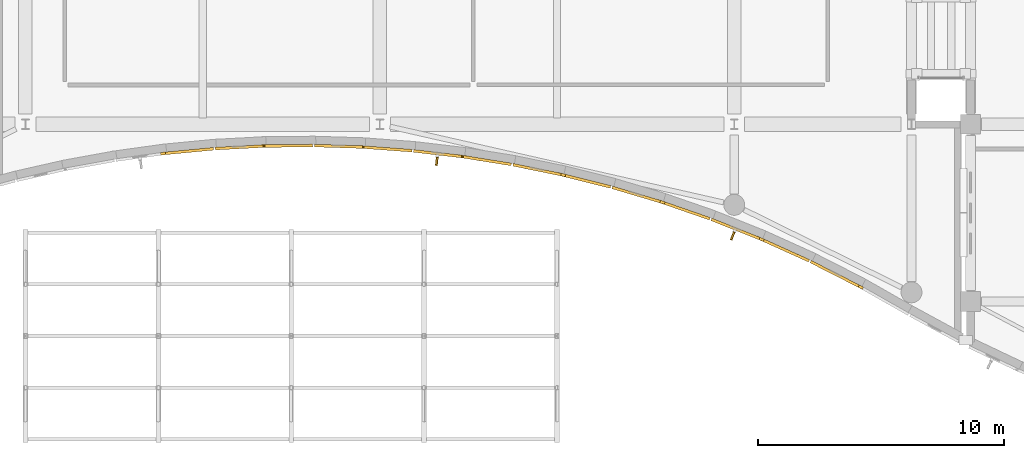
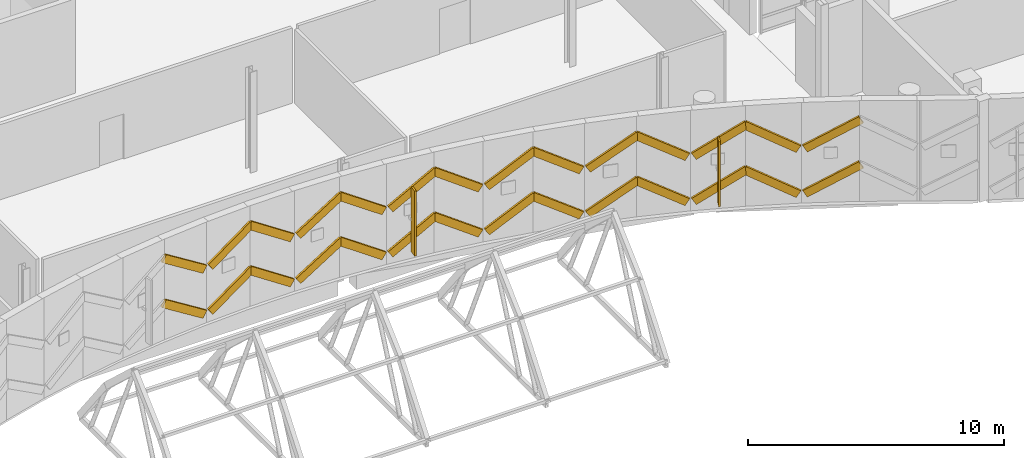
# One storey, part 199 of 220: 28 coverings, 2 shading devices.
"""IFC4 building model written with IfcOpenShell, lengths in metres."""

from ifc_helpers import new_model, si_unit, direction, frame, origin, origin_2d, place, context, subcontext, project, spatial, polyline, rectangle, outline, extrude, material, layer, layer_set, type_object, element, save


model = new_model("IFC4")

# Units and contexts
model_context = context("Model", 3, precision=1e-05, world=origin(), true_north=direction((0.0, 1.0)))
body_context = subcontext(model_context, "Body", "Model", "MODEL_VIEW")
ifc_project = project(units=[si_unit("LENGTHUNIT", "METRE"), si_unit("AREAUNIT", "SQUARE_METRE"), si_unit("VOLUMEUNIT", "CUBIC_METRE"), si_unit("PLANEANGLEUNIT", "RADIAN"), si_unit("MASSUNIT", "GRAM", prefix="KILO")], contexts=[model_context])

# Site, building, storey
site_placement = place(None, origin())
site = spatial("IfcSite", under=ifc_project, at=site_placement, CompositionType="ELEMENT")
building_placement = place(site_placement, origin())
building = spatial("IfcBuilding", under=site, at=building_placement, Name="Cendralis Lancet Convention Centre", CompositionType="ELEMENT")
storey_placement = place(building_placement, frame((0.0, 0.0, 5.39990234375)))
storey = spatial("IfcBuildingStorey", under=building, at=storey_placement, Name="L01", CompositionType="ELEMENT", Elevation=5.39990234375)

# Coverings
ifc_material_1 = material(Name="Warm buff sandstone chevron cassette", Category="masonry")
ifc_layer_1 = layer(ifc_material_1, 0.06005859375, Name="Warm buff sandstone chevron cassette")
ifc_layer_set_1 = layer_set([ifc_layer_1], Name="Warm buff sandstone chevron cassette")
covering_type_1 = type_object("IfcCoveringType", Name="ARC-CV-CLAD1", PredefinedType="CLADDING", material=ifc_layer_set_1)
covering_1_placement = place(storey_placement, frame((99.301025390625, 13.166015625, 1.9501953125), z_axis=(0.551183897876, 0.052844833018, 0.832708673154), x_axis=(0.828960105876, 0.078923824437, -0.553711272056)))
element("IfcCovering", 1, at=covering_1_placement, inside=storey, type_object=covering_type_1, Name="L01 Diagonal Stone Chevron Relief CL-ST1 #0295", PredefinedType="CLADDING", context=body_context, shape_type="SweptSolid", body=[
    extrude(outline(polyline([(0.0, 0.0), (2.3478724781473024, 8.40256683676266e-18), (2.3478215779079266, 0.11012067175197505), (-7.016875120143158e-05, 0.10987763488500937), (0.0, 0.0)])), origin(), (0.0, 0.0, -1.0), 0.360107421875),
])
covering_2_placement = place(storey_placement, frame((101.31591796875, 13.3564453125, 0.650146484375), z_axis=(-0.554363837926, -0.029566071356, 0.831749110384), x_axis=(0.830590287499, 0.043890863692, 0.555151660717)))
element("IfcCovering", 2, at=covering_2_placement, inside=storey, type_object=covering_type_1, Name="L01 Diagonal Stone Chevron Relief CL-ST1 #0301", PredefinedType="CLADDING", context=body_context, shape_type="SweptSolid", body=[
    extrude(outline(polyline([(0.0, 0.0), (2.3417903973232903, 1.5720931501039814e-18), (2.341745651659616, 0.11001941119744647), (-4.474566367464357e-05, 0.11001941119744647), (0.0, 0.0)])), origin(), (0.0, 0.0, -1.0), 0.360107421875),
])
covering_3_placement = place(storey_placement, frame((103.32958984375, 13.46142578125, 1.9501953125), z_axis=(0.555614467531, 0.005556144675, 0.831421489214), x_axis=(0.831376407589, 0.008660177623, -0.555642214224)))
element("IfcCovering", 3, at=covering_3_placement, inside=storey, type_object=covering_type_1, Name="L01 Diagonal Stone Chevron Relief CL-ST1 #0307", PredefinedType="CLADDING", context=body_context, shape_type="SweptSolid", body=[
    extrude(outline(polyline([(0.0, 0.0), (2.3398244143446307, -3.3068166260807885e-18), (2.339760986095707, 0.10987002348181216), (0.00013954450683504357, 0.10986751188847568), (0.0, 0.0)])), origin(), (0.0, 0.0, -1.0), 0.360107421875),
])
covering_4_placement = place(storey_placement, frame((105.343505859375, 13.48095703125, 0.650146484375), z_axis=(-0.55523109858, 0.017890779843, 0.831503666358), x_axis=(0.831088069029, -0.026287701467, 0.55551919703)))
element("IfcCovering", 4, at=covering_4_placement, inside=storey, type_object=covering_type_1, Name="L01 Diagonal Stone Chevron Relief CL-ST1 #0313", PredefinedType="CLADDING", context=body_context, shape_type="SweptSolid", body=[
    extrude(outline(polyline([(0.0, 0.0), (2.340342497780828, -2.6020852139652106e-18), (2.3402950776895706, 0.10991640566800805), (0.00015548226934535957, 0.1099241686054599), (0.0, 0.0)])), origin(), (0.0, 0.0, -1.0), 0.360107421875),
])
covering_5_placement = place(storey_placement, frame((107.357421875, 13.415771484375, 1.9501953125), z_axis=(0.553075734647, -0.041265116059, 0.832108419583), x_axis=(0.829836069915, -0.061453916362, -0.554612940015)))
element("IfcCovering", 5, at=covering_5_placement, inside=storey, type_object=covering_type_1, Name="L01 Diagonal Stone Chevron Relief CL-ST1 #0319", PredefinedType="CLADDING", context=body_context, shape_type="SweptSolid", body=[
    extrude(outline(polyline([(0.0, 0.0), (2.343963790342994, -1.4148838350935833e-17), (2.344115552533026, 0.10993284937089597), (-5.083450672504434e-05, 0.10991477747427505), (0.0, 0.0)])), origin(), (0.0, 0.0, -1.0), 0.360107421875),
])
covering_6_placement = place(storey_placement, frame((109.370849609375, 13.26513671875, 0.650146484375), z_axis=(-0.548958948721, 0.064943804201, 0.833322491545), x_axis=(0.827675011326, -0.096854482073, 0.552786834982)))
element("IfcCovering", 6, at=covering_6_placement, inside=storey, type_object=covering_type_1, Name="L01 Diagonal Stone Chevron Relief CL-ST1 #0325", PredefinedType="CLADDING", context=body_context, shape_type="SweptSolid", body=[
    extrude(outline(polyline([(0.0, 0.0), (2.351808592127162, -9.107298248878237e-18), (2.351924795162226, 0.1101376709805901), (0.00011620303506416733, 0.1101376709805901), (0.0, 0.0)])), origin(), (0.0, 0.0, -1.0), 0.360107421875),
])
covering_7_placement = place(storey_placement, frame((111.385498046875, 13.028076171875, 1.9501953125), z_axis=(0.543718944741, -0.086848245392, 0.834761697373), x_axis=(0.824218881, -0.132251403169, -0.550611298979)))
element("IfcCovering", 7, at=covering_7_placement, inside=storey, type_object=covering_type_1, Name="L01 Diagonal Stone Chevron Relief CL-ST1 #0331", PredefinedType="CLADDING", context=body_context, shape_type="SweptSolid", body=[
    extrude(outline(polyline([(0.0, 0.0), (2.3610848174231873, 3.198396408832238e-17), (2.361035969167337, 0.10977561554465676), (-8.113619607742067e-05, 0.11001668101012409), (0.0, 0.0)])), origin(), (0.0, 0.0, -1.0), 0.360107421875),
])
covering_8_placement = place(storey_placement, frame((113.39892578125, 12.703369140625, 0.650146484375), z_axis=(-0.536304363966, 0.110057925032, 0.83681830903), x_axis=(0.819783716895, -0.167986776787, 0.5474806849)))
element("IfcCovering", 8, at=covering_8_placement, inside=storey, type_object=covering_type_1, Name="L01 Diagonal Stone Chevron Relief CL-ST1 #0337", PredefinedType="CLADDING", context=body_context, shape_type="SweptSolid", body=[
    extrude(outline(polyline([(0.0, 0.0), (2.374702245821043, 6.830473686658678e-18), (2.3746286046973313, 0.10988520753186476), (0.0001265013852954841, 0.10993423804911716), (0.0, 0.0)])), origin(), (0.0, 0.0, -1.0), 0.360107421875),
])
covering_9_placement = place(storey_placement, frame((115.41259765625, 12.289306640625, 1.9501953125), z_axis=(0.527422899245, -0.131553995464, 0.839356081547), x_axis=(0.81430104305, -0.203549740484, -0.543581929829)))
element("IfcCovering", 9, at=covering_9_placement, inside=storey, type_object=covering_type_1, Name="L01 Diagonal Stone Chevron Relief CL-ST1 #0343", PredefinedType="CLADDING", context=body_context, shape_type="SweptSolid", body=[
    extrude(outline(polyline([(0.0, 0.0), (2.3916336375181073, 1.5720931501039814e-18), (2.391586659271256, 0.10995817380137013), (-4.6978246851469424e-05, 0.10995817380137009), (0.0, 0.0)])), origin(), (0.0, 0.0, -1.0), 0.360107421875),
])
covering_10_placement = place(storey_placement, frame((117.42578125, 11.78466796875, 0.650146484375), z_axis=(-0.516176060511, 0.153716393454, 0.842575542571), x_axis=(0.807545890848, -0.240422919393, 0.538578178174)))
element("IfcCovering", 10, at=covering_10_placement, inside=storey, type_object=covering_type_1, Name="L01 Diagonal Stone Chevron Relief CL-ST1 #0349", PredefinedType="CLADDING", context=body_context, shape_type="SweptSolid", body=[
    extrude(outline(polyline([(0.0, 0.0), (2.413784294605301, 1.5178830414797062e-16), (2.413860153673085, 0.11007057012663117), (-6.259868891902651e-05, 0.10976691232723765), (0.0, 0.0)])), origin(), (0.0, 0.0, -1.0), 0.360107421875),
])
covering_11_placement = place(storey_placement, frame((119.440185546875, 11.18359375, 1.9501953125), z_axis=(0.503700474187, -0.174813693983, 0.846005912923), x_axis=(0.799454346081, -0.27676501759, -0.533173399159)))
element("IfcCovering", 11, at=covering_11_placement, inside=storey, type_object=covering_type_1, Name="L01 Diagonal Stone Chevron Relief CL-ST1 #0355", PredefinedType="CLADDING", context=body_context, shape_type="SweptSolid", body=[
    extrude(outline(polyline([(0.0, 0.0), (2.4382251851197183, -4.2392304944183223e-17), (2.4383946457506482, 0.10987099983241229), (-2.5718652781586693e-05, 0.10979108019061262), (0.0, 0.0)])), origin(), (0.0, 0.0, -1.0), 0.360107421875),
])
covering_12_placement = place(storey_placement, frame((121.453369140625, 10.485107421875, 0.650146484375), z_axis=(-0.489239124765, 0.194643522756, 0.850152326262), x_axis=(0.78997924583, -0.314152468909, 0.526536814892)))
element("IfcCovering", 12, at=covering_12_placement, inside=storey, type_object=covering_type_1, Name="L01 Diagonal Stone Chevron Relief CL-ST1 #0361", PredefinedType="CLADDING", context=body_context, shape_type="SweptSolid", body=[
    extrude(outline(polyline([(0.0, 0.0), (2.468997833974073, 1.5582695724047912e-16), (2.4690702581880943, 0.11012065401670039), (-4.3744432687425894e-05, 0.10980357161026215), (0.0, 0.0)])), origin(), (0.0, 0.0, -1.0), 0.360107421875),
])
covering_13_placement = place(storey_placement, frame((123.46630859375, 9.68310546875, 1.9501953125), z_axis=(0.472534157954, -0.214369154584, 0.854843456505), x_axis=(0.779156200712, -0.351672677385, -0.518885288743)))
element("IfcCovering", 13, at=covering_13_placement, inside=storey, type_object=covering_type_1, Name="L01 Diagonal Stone Chevron Relief CL-ST1 #0367", PredefinedType="CLADDING", context=body_context, shape_type="SweptSolid", body=[
    extrude(outline(polyline([(0.0, 0.0), (2.505464803741935, 6.743737512859838e-17), (2.505644797786033, 0.10991628941852379), (0.00017999404409795722, 0.1099162894185237), (0.0, 0.0)])), origin(), (0.0, 0.0, -1.0), 0.360107421875),
])
covering_14_placement = place(storey_placement, frame((125.4794921875, 8.772705078125, 0.650146484375), z_axis=(-0.454427385646, 0.231180016638, 0.86026248964), x_axis=(0.766548339773, -0.390455174818, 0.509851350149)))
element("IfcCovering", 14, at=covering_14_placement, inside=storey, type_object=covering_type_1, Name="L01 Diagonal Stone Chevron Relief CL-ST1 #0373", PredefinedType="CLADDING", context=body_context, shape_type="SweptSolid", body=[
    extrude(outline(polyline([(0.0, 0.0), (2.5498585572938635, -5.128276275856436e-17), (2.54981054367365, 0.10984075325757975), (-4.8013620213734065e-05, 0.10984075325757978), (0.0, 0.0)])), origin(), (0.0, 0.0, -1.0), 0.360107421875),
])
ifc_material_2 = material(Name="Dark Andean slate chevron cassette", Category="masonry")
ifc_layer_2 = layer(ifc_material_2, 0.06005859375, Name="Dark Andean slate chevron cassette")
ifc_layer_set_2 = layer_set([ifc_layer_2], Name="Dark Andean slate chevron cassette")
covering_type_2 = type_object("IfcCoveringType", Name="ARC-CV-CLAD2", PredefinedType="CLADDING", material=ifc_layer_set_2)
covering_15_placement = place(storey_placement, frame((99.301025390625, 13.166015625, 4.10009765625), z_axis=(0.551183897876, 0.052844833018, 0.832708673154), x_axis=(0.828960105876, 0.078923824437, -0.553711272056)))
element("IfcCovering", 15, at=covering_15_placement, inside=storey, type_object=covering_type_2, Name="L01 Diagonal Stone Chevron Relief CL-ST2 #0296", PredefinedType="CLADDING", context=body_context, shape_type="SweptSolid", body=[
    extrude(outline(polyline([(0.0, 0.0), (2.3478724781473024, 8.40256683676266e-18), (2.3478215779079266, 0.11012067175197505), (-7.016875120143158e-05, 0.10987763488500937), (0.0, 0.0)])), origin(), (0.0, 0.0, -1.0), 0.360107421875),
])
covering_16_placement = place(storey_placement, frame((101.31591796875, 13.3564453125, 2.800048828125), z_axis=(-0.554363837926, -0.029566071356, 0.831749110384), x_axis=(0.830590287499, 0.043890863692, 0.555151660717)))
element("IfcCovering", 16, at=covering_16_placement, inside=storey, type_object=covering_type_2, Name="L01 Diagonal Stone Chevron Relief CL-ST2 #0302", PredefinedType="CLADDING", context=body_context, shape_type="SweptSolid", body=[
    extrude(outline(polyline([(0.0, 0.0), (2.3417903973232903, 1.5720931501039814e-18), (2.341745651659616, 0.11001941119744647), (-4.474566367464357e-05, 0.11001941119744647), (0.0, 0.0)])), origin(), (0.0, 0.0, -1.0), 0.360107421875),
])
covering_17_placement = place(storey_placement, frame((103.32958984375, 13.46142578125, 4.10009765625), z_axis=(0.555614467531, 0.005556144675, 0.831421489214), x_axis=(0.831376407589, 0.008660177623, -0.555642214224)))
element("IfcCovering", 17, at=covering_17_placement, inside=storey, type_object=covering_type_2, Name="L01 Diagonal Stone Chevron Relief CL-ST2 #0308", PredefinedType="CLADDING", context=body_context, shape_type="SweptSolid", body=[
    extrude(outline(polyline([(0.0, 0.0), (2.3398244143446307, -3.3068166260807885e-18), (2.339760986095707, 0.10987002348181216), (0.00013954450683504357, 0.10986751188847568), (0.0, 0.0)])), origin(), (0.0, 0.0, -1.0), 0.360107421875),
])
covering_18_placement = place(storey_placement, frame((105.343505859375, 13.48095703125, 2.800048828125), z_axis=(-0.55523109858, 0.017890779843, 0.831503666358), x_axis=(0.831088069029, -0.026287701467, 0.55551919703)))
element("IfcCovering", 18, at=covering_18_placement, inside=storey, type_object=covering_type_2, Name="L01 Diagonal Stone Chevron Relief CL-ST2 #0314", PredefinedType="CLADDING", context=body_context, shape_type="SweptSolid", body=[
    extrude(outline(polyline([(0.0, 0.0), (2.340342497780828, -2.6020852139652106e-18), (2.3402950776895706, 0.10991640566800805), (0.00015548226934535957, 0.1099241686054599), (0.0, 0.0)])), origin(), (0.0, 0.0, -1.0), 0.360107421875),
])
covering_19_placement = place(storey_placement, frame((107.357421875, 13.415771484375, 4.10009765625), z_axis=(0.553075734647, -0.041265116059, 0.832108419583), x_axis=(0.829836069915, -0.061453916362, -0.554612940015)))
element("IfcCovering", 19, at=covering_19_placement, inside=storey, type_object=covering_type_2, Name="L01 Diagonal Stone Chevron Relief CL-ST2 #0320", PredefinedType="CLADDING", context=body_context, shape_type="SweptSolid", body=[
    extrude(outline(polyline([(0.0, 0.0), (2.343963790342994, -1.4148838350935833e-17), (2.344115552533026, 0.10993284937089597), (-5.083450672504434e-05, 0.10991477747427505), (0.0, 0.0)])), origin(), (0.0, 0.0, -1.0), 0.360107421875),
])
covering_20_placement = place(storey_placement, frame((109.370849609375, 13.26513671875, 2.800048828125), z_axis=(-0.548958948721, 0.064943804201, 0.833322491545), x_axis=(0.827675011326, -0.096854482073, 0.552786834982)))
element("IfcCovering", 20, at=covering_20_placement, inside=storey, type_object=covering_type_2, Name="L01 Diagonal Stone Chevron Relief CL-ST2 #0326", PredefinedType="CLADDING", context=body_context, shape_type="SweptSolid", body=[
    extrude(outline(polyline([(0.0, 0.0), (2.351808592127162, -9.107298248878237e-18), (2.351924795162226, 0.1101376709805901), (0.00011620303506416733, 0.1101376709805901), (0.0, 0.0)])), origin(), (0.0, 0.0, -1.0), 0.360107421875),
])
covering_21_placement = place(storey_placement, frame((111.385498046875, 13.028076171875, 4.10009765625), z_axis=(0.543718944741, -0.086848245392, 0.834761697373), x_axis=(0.824218881, -0.132251403169, -0.550611298979)))
element("IfcCovering", 21, at=covering_21_placement, inside=storey, type_object=covering_type_2, Name="L01 Diagonal Stone Chevron Relief CL-ST2 #0332", PredefinedType="CLADDING", context=body_context, shape_type="SweptSolid", body=[
    extrude(outline(polyline([(0.0, 0.0), (2.3610848174231873, 3.198396408832238e-17), (2.361035969167337, 0.10977561554465676), (-8.113619607742067e-05, 0.11001668101012409), (0.0, 0.0)])), origin(), (0.0, 0.0, -1.0), 0.360107421875),
])
covering_22_placement = place(storey_placement, frame((113.39892578125, 12.703369140625, 2.800048828125), z_axis=(-0.536304363966, 0.110057925032, 0.83681830903), x_axis=(0.819783716895, -0.167986776787, 0.5474806849)))
element("IfcCovering", 22, at=covering_22_placement, inside=storey, type_object=covering_type_2, Name="L01 Diagonal Stone Chevron Relief CL-ST2 #0338", PredefinedType="CLADDING", context=body_context, shape_type="SweptSolid", body=[
    extrude(outline(polyline([(0.0, 0.0), (2.374702245821043, 6.830473686658678e-18), (2.3746286046973313, 0.10988520753186476), (0.0001265013852954841, 0.10993423804911716), (0.0, 0.0)])), origin(), (0.0, 0.0, -1.0), 0.360107421875),
])
covering_23_placement = place(storey_placement, frame((115.41259765625, 12.289306640625, 4.10009765625), z_axis=(0.527422899245, -0.131553995464, 0.839356081547), x_axis=(0.81430104305, -0.203549740484, -0.543581929829)))
element("IfcCovering", 23, at=covering_23_placement, inside=storey, type_object=covering_type_2, Name="L01 Diagonal Stone Chevron Relief CL-ST2 #0344", PredefinedType="CLADDING", context=body_context, shape_type="SweptSolid", body=[
    extrude(outline(polyline([(0.0, 0.0), (2.3916336375181073, 1.5720931501039814e-18), (2.391586659271256, 0.10995817380137013), (-4.6978246851469424e-05, 0.10995817380137009), (0.0, 0.0)])), origin(), (0.0, 0.0, -1.0), 0.360107421875),
])
covering_24_placement = place(storey_placement, frame((117.42578125, 11.78466796875, 2.800048828125), z_axis=(-0.516176060511, 0.153716393454, 0.842575542571), x_axis=(0.807545890848, -0.240422919393, 0.538578178174)))
element("IfcCovering", 24, at=covering_24_placement, inside=storey, type_object=covering_type_2, Name="L01 Diagonal Stone Chevron Relief CL-ST2 #0350", PredefinedType="CLADDING", context=body_context, shape_type="SweptSolid", body=[
    extrude(outline(polyline([(0.0, 0.0), (2.413784294605301, 1.5178830414797062e-16), (2.413860153673085, 0.11007057012663117), (-6.259868891902651e-05, 0.10976691232723765), (0.0, 0.0)])), origin(), (0.0, 0.0, -1.0), 0.360107421875),
])
covering_25_placement = place(storey_placement, frame((119.440185546875, 11.18359375, 4.10009765625), z_axis=(0.503700474187, -0.174813693983, 0.846005912923), x_axis=(0.799454346081, -0.27676501759, -0.533173399159)))
element("IfcCovering", 25, at=covering_25_placement, inside=storey, type_object=covering_type_2, Name="L01 Diagonal Stone Chevron Relief CL-ST2 #0356", PredefinedType="CLADDING", context=body_context, shape_type="SweptSolid", body=[
    extrude(outline(polyline([(0.0, 0.0), (2.4382251851197183, -4.2392304944183223e-17), (2.4383946457506482, 0.10987099983241229), (-2.5718652781586693e-05, 0.10979108019061262), (0.0, 0.0)])), origin(), (0.0, 0.0, -1.0), 0.360107421875),
])
covering_26_placement = place(storey_placement, frame((121.453369140625, 10.485107421875, 2.800048828125), z_axis=(-0.489239124765, 0.194643522756, 0.850152326262), x_axis=(0.78997924583, -0.314152468909, 0.526536814892)))
element("IfcCovering", 26, at=covering_26_placement, inside=storey, type_object=covering_type_2, Name="L01 Diagonal Stone Chevron Relief CL-ST2 #0362", PredefinedType="CLADDING", context=body_context, shape_type="SweptSolid", body=[
    extrude(outline(polyline([(0.0, 0.0), (2.468997833974073, 1.5582695724047912e-16), (2.4690702581880943, 0.11012065401670039), (-4.3744432687425894e-05, 0.10980357161026215), (0.0, 0.0)])), origin(), (0.0, 0.0, -1.0), 0.360107421875),
])
covering_27_placement = place(storey_placement, frame((123.46630859375, 9.68310546875, 4.10009765625), z_axis=(0.472534157954, -0.214369154584, 0.854843456505), x_axis=(0.779156200712, -0.351672677385, -0.518885288743)))
element("IfcCovering", 27, at=covering_27_placement, inside=storey, type_object=covering_type_2, Name="L01 Diagonal Stone Chevron Relief CL-ST2 #0368", PredefinedType="CLADDING", context=body_context, shape_type="SweptSolid", body=[
    extrude(outline(polyline([(0.0, 0.0), (2.505464803741935, 6.743737512859838e-17), (2.505644797786033, 0.10991628941852379), (0.00017999404409795722, 0.1099162894185237), (0.0, 0.0)])), origin(), (0.0, 0.0, -1.0), 0.360107421875),
])
covering_28_placement = place(storey_placement, frame((125.4794921875, 8.772705078125, 2.800048828125), z_axis=(-0.454427385646, 0.231180016638, 0.86026248964), x_axis=(0.766548339773, -0.390455174818, 0.509851350149)))
element("IfcCovering", 28, at=covering_28_placement, inside=storey, type_object=covering_type_2, Name="L01 Diagonal Stone Chevron Relief CL-ST2 #0374", PredefinedType="CLADDING", context=body_context, shape_type="SweptSolid", body=[
    extrude(outline(polyline([(0.0, 0.0), (2.5498585572938635, -5.128276275856436e-17), (2.54981054367365, 0.10984075325757975), (-4.8013620213734065e-05, 0.10984075325757978), (0.0, 0.0)])), origin(), (0.0, 0.0, -1.0), 0.360107421875),
])

# Shading devices
ifc_material_3 = material(Name="Anodised bronze architectural aluminium", Category="aluminium")
shading_device_type = type_object("IfcShadingDeviceType", Name="ARC-SH-FIN1", PredefinedType="USERDEFINED", material=ifc_material_3)
for number, where, z_axis, x_axis, name in (
    (29, (110.314697265625, 12.89794921875, 0.449951171875), (0.0, 0.0, 1.0), (0.99322754702, -0.116185368447, 0.0), "Anodised Bronze Lancet Solar Fin SF-01 #019"),
    (30, (122.33447265625, 9.8603515625, 0.449951171875), (0.0, 0.0, 1.0), (0.929268028387, -0.369406187572, 0.0), "Anodised Bronze Lancet Solar Fin SF-01 #021"),
):
    element("IfcShadingDevice", number, at=place(storey_placement, frame(where, z_axis=z_axis, x_axis=x_axis)), inside=storey, type_object=shading_device_type, Name=name, ObjectType="FIN", PredefinedType="USERDEFINED", context=body_context, shape_type="SweptSolid", body=[
        extrude(rectangle(XDim=0.080078125, YDim=0.340087890625, at=origin_2d()), origin(), (0.0, 0.0, 1.0), 3.10009765625),
    ])

save(model, "model.ifc")
